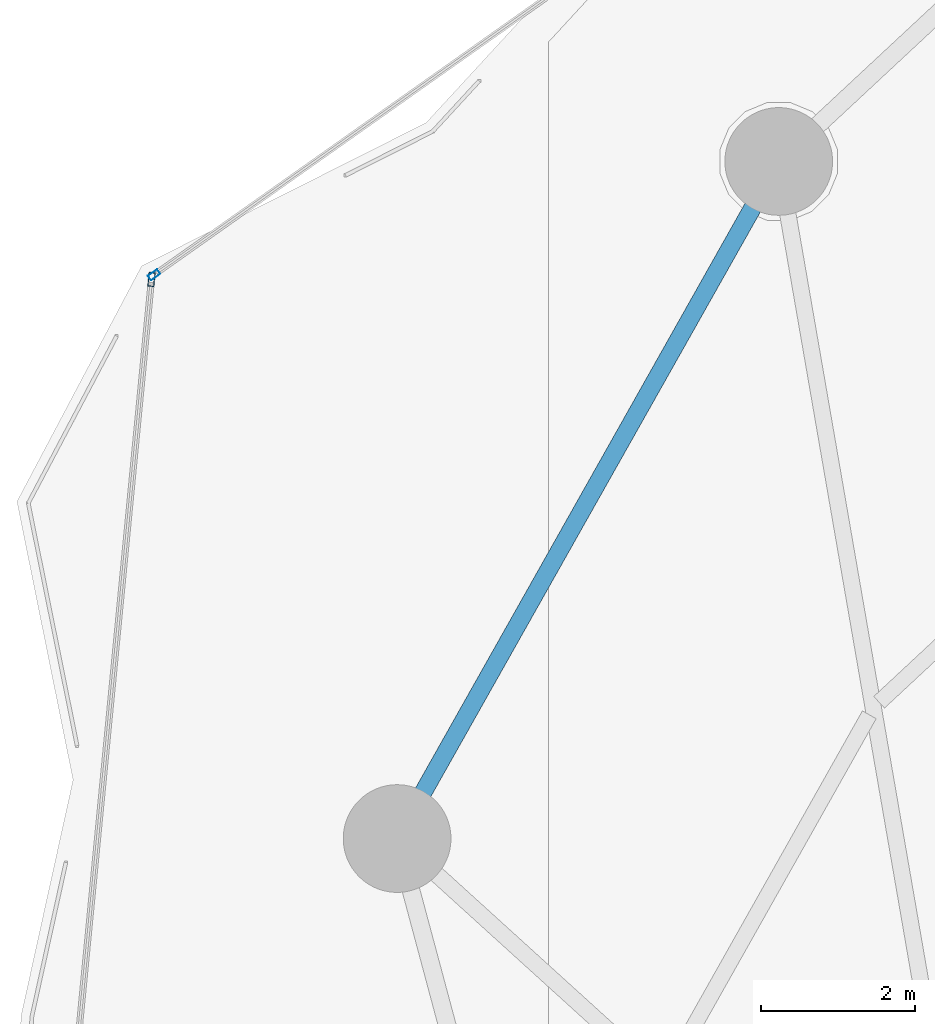
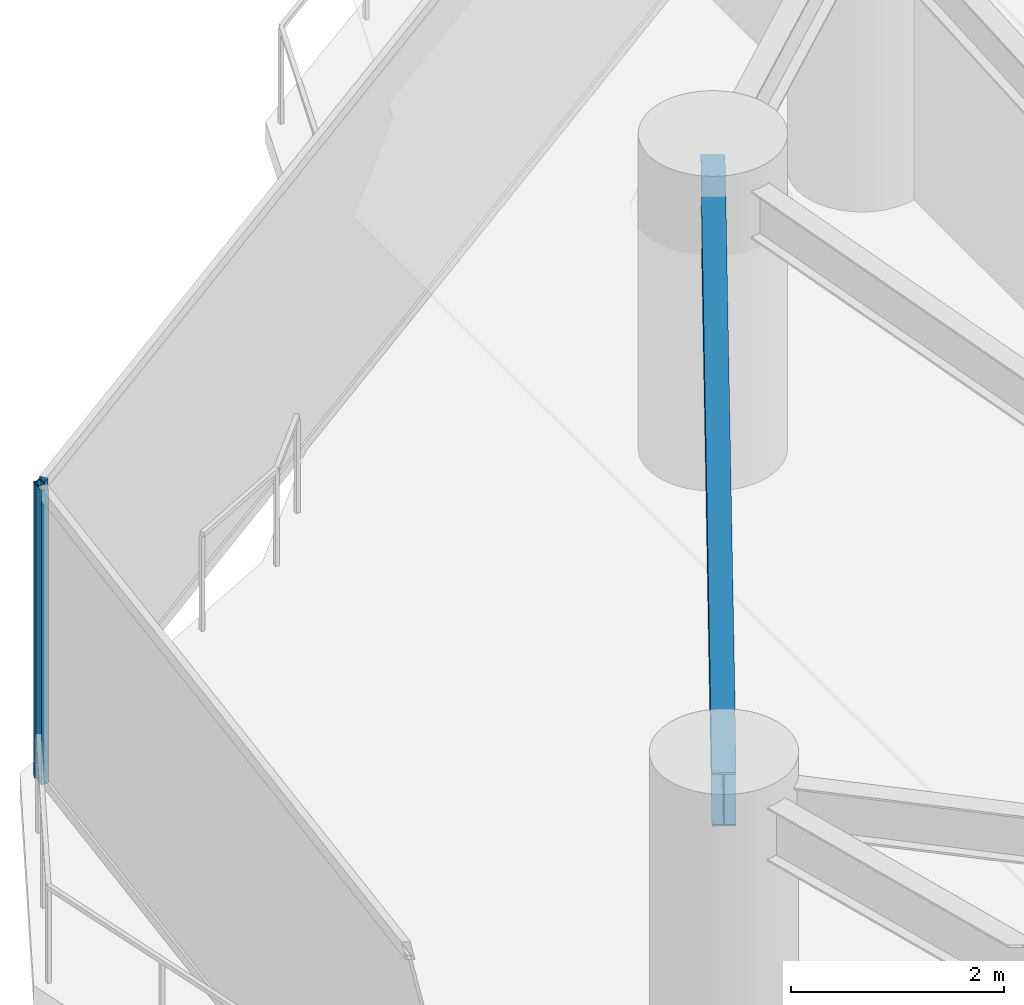
# One storey, part 15 of 31: 2 members, 1 beam, 2 elements without a shape of their own.
"""IFC4 building model written with IfcOpenShell, lengths in metres."""

from ifc_helpers import new_model, si_unit, direction, frame, origin, origin_2d, place, context, subcontext, project, spatial, hollow_rectangle, i_section, extrude, material, layer, layer_set, material_profile, profile_set, type_object, element, aggregate, save


model = new_model("IFC4")

# Units and contexts
model_context = context("Model", 3, precision=1e-05, world=origin(), true_north=direction((0.0, 1.0)))
body_context = subcontext(model_context, "Body", "Model", "MODEL_VIEW")
ifc_project = project(units=[si_unit("LENGTHUNIT", "METRE"), si_unit("AREAUNIT", "SQUARE_METRE"), si_unit("VOLUMEUNIT", "CUBIC_METRE"), si_unit("PLANEANGLEUNIT", "RADIAN"), si_unit("MASSUNIT", "GRAM", prefix="KILO")], contexts=[model_context])

# Site, building, storey
site_placement = place(None, origin())
site = spatial("IfcSite", under=ifc_project, at=site_placement, CompositionType="ELEMENT")
building_placement = place(site_placement, origin())
building = spatial("IfcBuilding", under=site, at=building_placement, Name="Kazevale Care Tower and Concert Hall", CompositionType="ELEMENT")
storey_placement = place(building_placement, frame((0.0, 0.0, 63.60009765625)))
storey = spatial("IfcBuildingStorey", under=building, at=storey_placement, Name="L16", CompositionType="ELEMENT", Elevation=63.60009765625)

# Curtain wall, member
ifc_material_1 = material(Name="Aluminium 6063-T6 and Low-E Glass", Category="aluminium")
ifc_layer_1 = layer(ifc_material_1, 0.179931640625)
ifc_layer_set_1 = layer_set([ifc_layer_1], Name="Aluminium 6063-T6 and Low-E Glass")
curtain_wall_type_1 = type_object("IfcCurtainWallType", Name="Convex Recessed Sunroom Curtain Wall CW-3", PredefinedType="NOTDEFINED", material=ifc_layer_set_1)
curtain_wall_1_placement = place(storey_placement, origin())
curtain_wall_1 = element("IfcCurtainWall", 1, at=curtain_wall_1_placement, inside=storey, type_object=curtain_wall_type_1, Name="cw:L16:f14", PredefinedType="NOTDEFINED")
ifc_material_2 = material(Name="Aluminium 6063-T6", Category="aluminium")
ifc_material_profile_1 = material_profile(ifc_material_2, hollow_rectangle(XDim=0.074951171875, YDim=0.14990234375, WallThickness=0.00390625, at=origin_2d()), Name="ALU75x150x4")
ifc_profile_set_1 = profile_set([ifc_material_profile_1], Name="Aluminium 6063-T6")
member_type_1 = type_object("IfcMemberType", Name="CW-3 Mullion ALU75x150x4", PredefinedType="MULLION", material=ifc_profile_set_1)
member_1_placement = place(storey_placement, frame((11.151611328125, 50.70751953125, 0.0), z_axis=(0.0, 0.0, 1.0), x_axis=(-0.57692895392, 0.816794332821, 0.0)))
member_1 = element("IfcMember", 2, at=member_1_placement, type_object=member_type_1, Name="CW-3 mullion 1", PredefinedType="MULLION", context=body_context, shape_type="SweptSolid", body=[
    extrude(hollow_rectangle(XDim=0.074951171875, YDim=0.14990234375, WallThickness=0.00390625, at=origin_2d()), origin(), (0.0, 0.0, 1.0), 3.35986328125),
])
aggregate(curtain_wall_1, [member_1])

ifc_layer_2 = layer(ifc_material_1, 0.179931640625)
ifc_layer_set_2 = layer_set([ifc_layer_2], Name="Aluminium 6063-T6 and Low-E Glass")
curtain_wall_type_2 = type_object("IfcCurtainWallType", Name="Waist & Upper Residential Curtain Wall CW-4", PredefinedType="NOTDEFINED", material=ifc_layer_set_2)
curtain_wall_2_placement = place(storey_placement, origin())
curtain_wall_2 = element("IfcCurtainWall", 3, at=curtain_wall_2_placement, inside=storey, type_object=curtain_wall_type_2, Name="cw:L16:f13", PredefinedType="NOTDEFINED")
ifc_material_profile_2 = material_profile(ifc_material_2, hollow_rectangle(XDim=0.080078125, YDim=0.179931640625, WallThickness=0.0048828125, at=origin_2d()), Name="ALU80x180x5")
ifc_profile_set_2 = profile_set([ifc_material_profile_2], Name="Aluminium 6063-T6")
member_type_2 = type_object("IfcMemberType", Name="CW-4 Mullion ALU80x180x5", PredefinedType="MULLION", material=ifc_profile_set_2)
member_2_placement = place(storey_placement, frame((11.1171875, 50.646240234375, 0.0), z_axis=(0.0, 0.0, 1.0), x_axis=(-0.995380693067, 0.096006644923, 0.0)))
member_2 = element("IfcMember", 4, at=member_2_placement, type_object=member_type_2, Name="CW-4 mullion 2", PredefinedType="MULLION", context=body_context, shape_type="SweptSolid", body=[
    extrude(hollow_rectangle(XDim=0.080078125, YDim=0.179931640625, WallThickness=0.0048828125, at=origin_2d()), origin(), (0.0, 0.0, 1.0), 3.35986328125),
])
aggregate(curtain_wall_2, [member_2])

# Beam
ifc_material_3 = material(Name="Steel ASTM A572 Gr 50", Category="steel")
ifc_material_profile_3 = material_profile(ifc_material_3, i_section(OverallWidth=0.22900390625, OverallDepth=0.612060546875, WebThickness=0.011962890625, FlangeThickness=0.01953125, at=origin_2d()), Name="W610x125")
ifc_profile_set_3 = profile_set([ifc_material_profile_3], Name="Steel ASTM A572 Gr 50")
beam_type = type_object("IfcBeamType", Name="Ring Spandrel Beam W610x125", PredefinedType="SPANDREL", material=ifc_profile_set_3)
beam_placement = place(storey_placement, frame((19.27001953125, 52.179931640625, 3.053955078125), z_axis=(-0.491008061092, -0.87115502865, 0.0), x_axis=(0.87115502865, -0.491008061092, 0.0)))
element("IfcBeam", 5, at=beam_placement, inside=storey, type_object=beam_type, Name="beam:L16:ring:08", PredefinedType="SPANDREL", context=body_context, shape_type="SweptSolid", body=[
    extrude(i_section(OverallWidth=0.22900390625, OverallDepth=0.612060546875, WebThickness=0.011962890625, FlangeThickness=0.01953125, at=origin_2d()), origin(), (0.0, 0.0, 1.0), 10.1015625),
])

save(model, "model.ifc")
